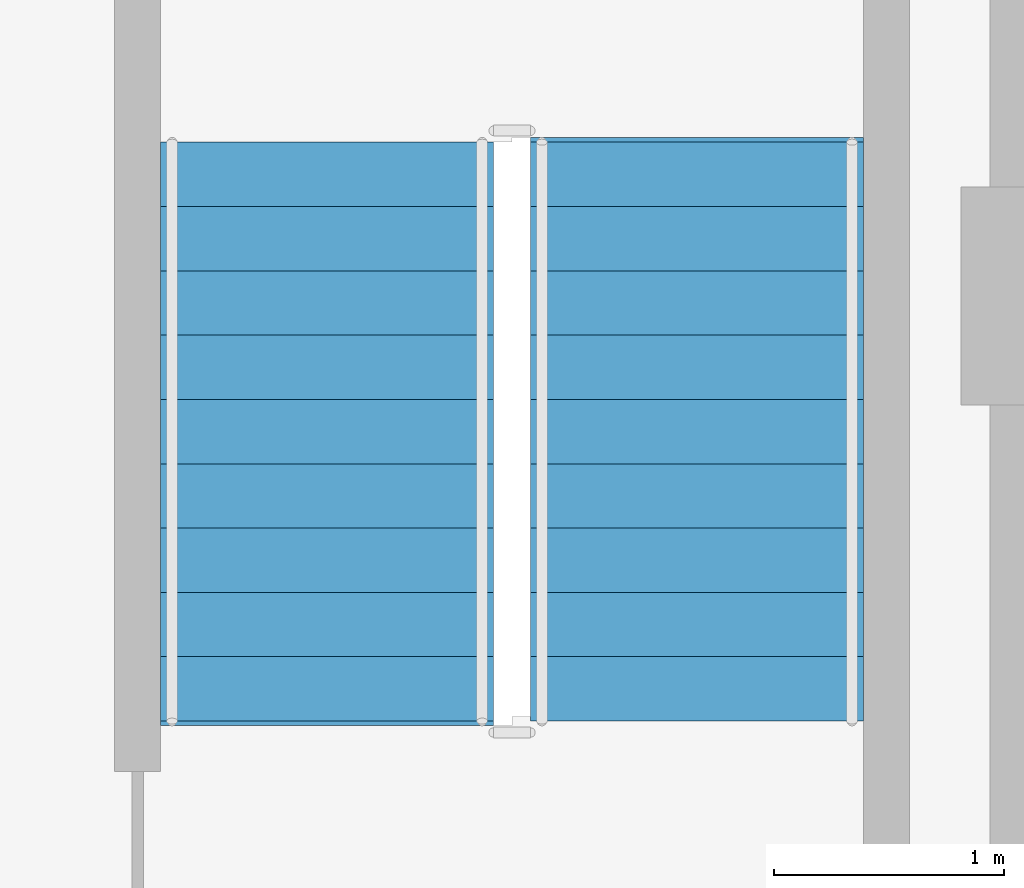
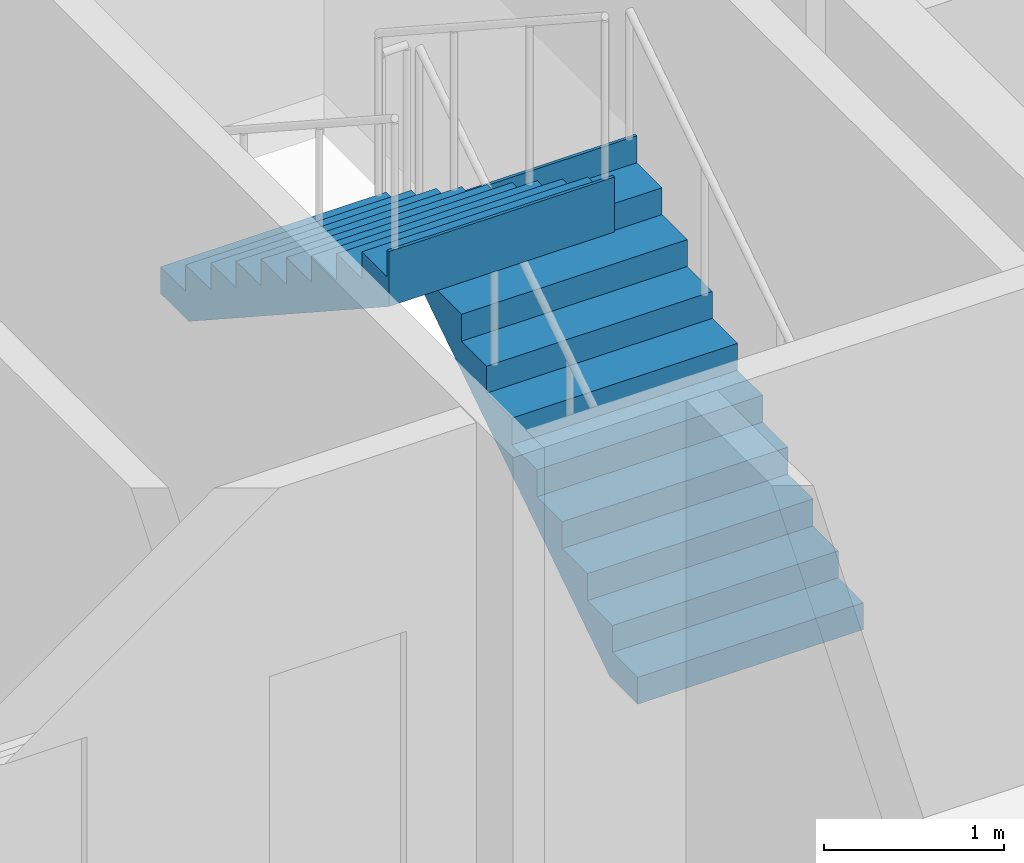
# One storey, part 11 of 15: 2 stair flights, 1 element without a shape of its own.
"""IFC4 building model written with IfcOpenShell, lengths in metres."""

from ifc_helpers import new_model, si_unit, direction, frame, origin, place, context, subcontext, project, spatial, polyline, outline, extrude, material, type_object, element, aggregate, save


model = new_model("IFC4")

# Units and contexts
model_context = context("Model", 3, precision=1e-05, world=origin(), true_north=direction((0.0, 1.0)))
body_context = subcontext(model_context, "Body", "Model", "MODEL_VIEW")
ifc_project = project(units=[si_unit("LENGTHUNIT", "METRE"), si_unit("AREAUNIT", "SQUARE_METRE"), si_unit("VOLUMEUNIT", "CUBIC_METRE"), si_unit("PLANEANGLEUNIT", "RADIAN"), si_unit("MASSUNIT", "GRAM", prefix="KILO")], contexts=[model_context])

# Site, building, storey
site_placement = place(None, origin())
site = spatial("IfcSite", under=ifc_project, at=site_placement, CompositionType="ELEMENT")
building_placement = place(site_placement, origin())
building = spatial("IfcBuilding", under=site, at=building_placement, Name="Nuvemarco Arch Tower", CompositionType="ELEMENT")
storey_placement = place(building_placement, frame((0.0, 0.0, 194.550048828125)))
storey = spatial("IfcBuildingStorey", under=building, at=storey_placement, Name="L51", CompositionType="ELEMENT", Elevation=194.550048828125)

# Stair, stair flights
ifc_material = material(Name="Precast concrete C45/55", Category="concrete")
stair_type = type_object("IfcStairType", Name="ST-CORE-20R", PredefinedType="HALF_TURN_STAIR", material=ifc_material)
stair_placement = place(storey_placement, origin())
stair = element("IfcStair", 1, at=stair_placement, inside=storey, type_object=stair_type, Name="L51 Protected Exit Stair ST-2", PredefinedType="HALF_TURN_STAIR")
stair_flight_type = type_object("IfcStairFlightType", Name="SF-CORE-20R", PredefinedType="STRAIGHT", material=ifc_material)
stair_flight_1_placement = place(storey_placement, frame((15.875, 2.64990234375, 0.0), z_axis=(0.0, 0.0, 1.0), x_axis=(0.0, 1.0, 0.0)))
stair_flight_1 = element("IfcStairFlight", 2, at=stair_flight_1_placement, type_object=stair_flight_type, Name="ST-20R flight 1", NumberOfRisers=10, NumberOfTreads=9, PredefinedType="STRAIGHT", RiserHeight=0.1825, TreadLength=0.28, context=body_context, shape_type="SweptSolid", body=[
    extrude(outline(polyline([(0.0, 0.0), (0.0, 0.1826171875), (0.280029296875, 0.1826171875), (0.280029296875, 0.364990234375), (0.56005859375, 0.364990234375), (0.56005859375, 0.547607421875), (0.840087890625, 0.547607421875), (0.840087890625, 0.72998046875), (1.1201171875, 0.72998046875), (1.1201171875, 0.91259765625), (1.39990234375, 0.91259765625), (1.39990234375, 1.094970703125), (1.679931640625, 1.094970703125), (1.679931640625, 1.277587890625), (1.9599609375, 1.277587890625), (1.9599609375, 1.4599609375), (2.239990234375, 1.4599609375), (2.239990234375, 1.642578125), (2.52001953125, 1.642578125), (2.52001953125, 1.824951171875), (2.5400390625, 1.824951171875), (2.5400390625, 1.45166015625), (0.312744140625, 0.0), (0.0, 0.0)])), frame((0.0, 0.72509765625, 0.0), z_axis=(0.0, -1.0, 0.0), x_axis=(1.0, 0.0, 0.0)), (0.0, 0.0, 1.0), 1.449951171875),
])
stair_flight_2_placement = place(storey_placement, frame((14.264892578125, 5.169921875, 1.824951171875), z_axis=(0.0, 0.0, 1.0), x_axis=(0.0, -1.0, 0.0)))
stair_flight_2 = element("IfcStairFlight", 3, at=stair_flight_2_placement, type_object=stair_flight_type, Name="ST-20R flight 2", NumberOfRisers=10, NumberOfTreads=9, PredefinedType="STRAIGHT", RiserHeight=0.1825, TreadLength=0.28, context=body_context, shape_type="SweptSolid", body=[
    extrude(outline(polyline([(0.0, 0.0), (0.0, 0.1826171875), (0.280029296875, 0.1826171875), (0.280029296875, 0.364990234375), (0.56005859375, 0.364990234375), (0.56005859375, 0.547607421875), (0.840087890625, 0.547607421875), (0.840087890625, 0.72998046875), (1.1201171875, 0.72998046875), (1.1201171875, 0.91259765625), (1.39990234375, 0.91259765625), (1.39990234375, 1.094970703125), (1.679931640625, 1.094970703125), (1.679931640625, 1.277587890625), (1.9599609375, 1.277587890625), (1.9599609375, 1.4599609375), (2.239990234375, 1.4599609375), (2.239990234375, 1.642578125), (2.52001953125, 1.642578125), (2.52001953125, 1.824951171875), (2.5400390625, 1.824951171875), (2.5400390625, 1.45166015625), (0.312744140625, 0.0), (0.0, 0.0)])), frame((0.0, 0.72509765625, 0.0), z_axis=(0.0, -1.0, 0.0), x_axis=(1.0, 0.0, 0.0)), (0.0, 0.0, 1.0), 1.449951171875),
])
aggregate(stair, [stair_flight_1, stair_flight_2])

save(model, "model.ifc")
